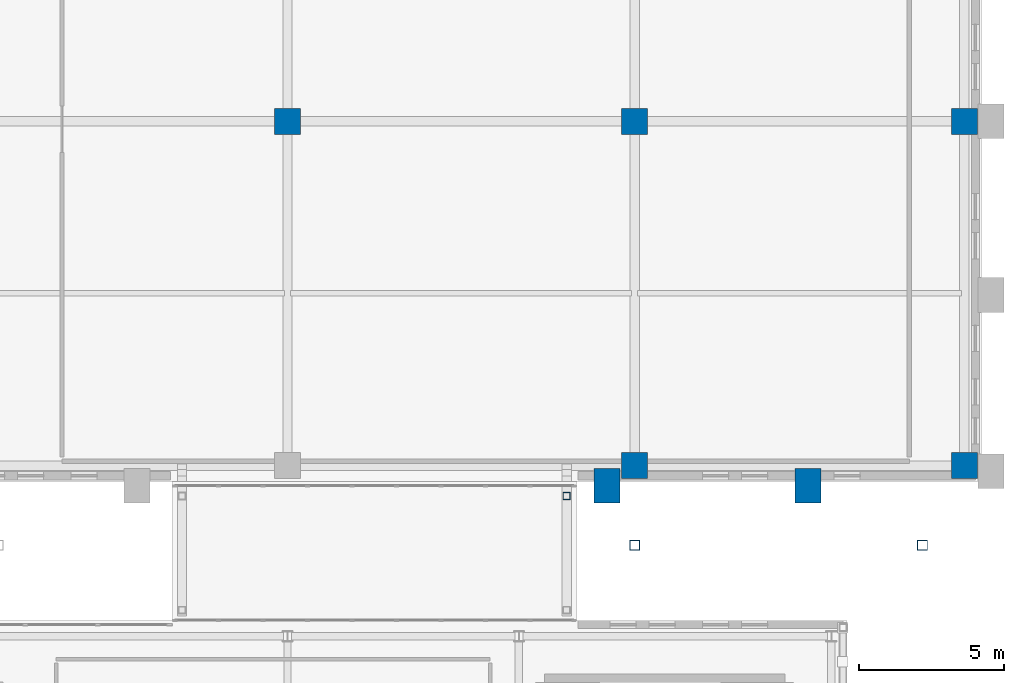
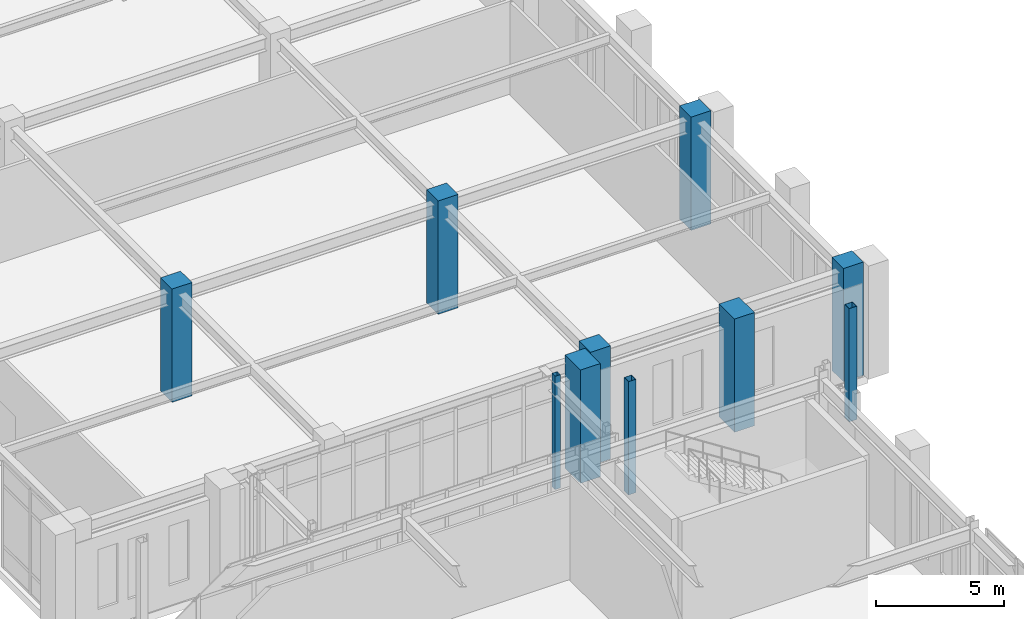
# One storey, part 14 of 159: 10 columns.
"""IFC4 building model written with IfcOpenShell, lengths in metres."""

from ifc_helpers import new_model, si_unit, derived_unit, direction, frame, origin, origin_2d, place, context, subcontext, project, spatial, rectangle, hollow_rectangle, extrude, material, material_profile, profile_set, type_object, element, save


model = new_model("IFC4")

# Units and contexts
model_context = context("Model", 3, precision=1e-05, world=origin(), true_north=direction((0.0, 1.0)))
body_context = subcontext(model_context, "Body", "Model", "MODEL_VIEW")
ifc_project = project(units=[si_unit("LENGTHUNIT", "METRE"), si_unit("AREAUNIT", "SQUARE_METRE"), si_unit("VOLUMEUNIT", "CUBIC_METRE"), si_unit("PLANEANGLEUNIT", "RADIAN"), si_unit("MASSUNIT", "GRAM", prefix="KILO"), derived_unit("THERMALTRANSMITTANCEUNIT", [(si_unit("MASSUNIT", "GRAM", prefix="KILO"), 1), (si_unit("TIMEUNIT", "SECOND"), -3), (si_unit("THERMODYNAMICTEMPERATUREUNIT", "KELVIN"), -1)])], contexts=[model_context])

# Site, building, storey
site_placement = place(None, origin())
site = spatial("IfcSite", under=ifc_project, at=site_placement, CompositionType="ELEMENT")
building_placement = place(site_placement, origin())
building = spatial("IfcBuilding", under=site, at=building_placement, Name="Valcora Ridge Arena", CompositionType="ELEMENT")
storey_placement = place(building_placement, frame((0.0, 0.0, 6.0)))
storey = spatial("IfcBuildingStorey", under=building, at=storey_placement, Name="L01", CompositionType="ELEMENT", Elevation=6.0)

# Columns
ifc_material_1 = material(Name="Steel ASTM A500 Grade C", Category="steel")
ifc_material_profile_1 = material_profile(ifc_material_1, hollow_rectangle(XDim=0.25, YDim=0.25, WallThickness=0.012451171875, at=origin_2d()), Name="HSS250X250X12")
ifc_profile_set_1 = profile_set([ifc_material_profile_1], Name="Steel ASTM A500 Grade C")
column_type_1 = type_object("IfcColumnType", Name="TY-COLUMN-C-BRG250", PredefinedType="COLUMN", material=ifc_profile_set_1)
column_placement = place(storey_placement, frame((177.64990234375, 82.64990234375, 0.0), z_axis=(0.0, 0.0, 1.0), x_axis=(1.0, 0.0, 0.0)))
element("IfcColumn", 1, at=column_placement, inside=storey, type_object=column_type_1, Name="C-BRG250 COL-BG-C-BRG250-0027", PredefinedType="COLUMN", context=body_context, shape_type="SweptSolid", body=[
    extrude(hollow_rectangle(XDim=0.25, YDim=0.25, WallThickness=0.012451171875, at=origin_2d()), origin(), (0.0, 0.0, 1.0), 5.39990234375),
])
ifc_material_2 = material(Name="Bush-hammered Andean travertine architectural concrete C45/55", Category="masonry")
ifc_material_profile_2 = material_profile(ifc_material_2, rectangle(XDim=0.89990234375, YDim=1.199951171875, at=origin_2d()), Name="RC 900x1200")
ifc_profile_set_2 = profile_set([ifc_material_profile_2], Name="Bush-hammered Andean travertine architectural concrete C45/55")
column_type_2 = type_object("IfcColumnType", Name="TY-COLUMN-C-BUTT-1200", PredefinedType="PILASTER", material=ifc_profile_set_2)
for number, where, z_axis, x_axis, name in (
    (2, (179.050048828125, 83.0, 0.0), (0.0, 0.0, 1.0), (1.0, 0.0, 0.0), "C-BUTT-1200 COL-C-BUTT-1200-0269"),
    (3, (186.0, 83.0, 0.0), (0.0, 0.0, 1.0), (1.0, 0.0, 0.0), "C-BUTT-1200 COL-C-BUTT-1200-0273"),
):
    element("IfcColumn", number, at=place(storey_placement, frame(where, z_axis=z_axis, x_axis=x_axis)), inside=storey, type_object=column_type_2, Name=name, PredefinedType="PILASTER", context=body_context, shape_type="SweptSolid", body=[
        extrude(rectangle(XDim=0.89990234375, YDim=1.199951171875, at=origin_2d()), origin(), (0.0, 0.0, 1.0), 5.39990234375),
    ])
ifc_material_profile_3 = material_profile(ifc_material_1, hollow_rectangle(XDim=0.35009765625, YDim=0.35009765625, WallThickness=0.01611328125, at=origin_2d()), Name="HSS350X350X16")
ifc_profile_set_3 = profile_set([ifc_material_profile_3], Name="Steel ASTM A500 Grade C")
column_type_3 = type_object("IfcColumnType", Name="TY-COLUMN-C-COL350", PredefinedType="COLUMN", material=ifc_profile_set_3)
for number, where, z_axis, x_axis, name in (
    (4, (189.949951171875, 80.949951171875, 0.0), (0.0, 0.0, 1.0), (1.0, 0.0, 0.0), "C-COL350 COL-C-COL350-0041"),
    (5, (180.0, 80.949951171875, 0.0), (0.0, 0.0, 1.0), (1.0, 0.0, 0.0), "C-COL350 COL-C-COL350-0062"),
):
    element("IfcColumn", number, at=place(storey_placement, frame(where, z_axis=z_axis, x_axis=x_axis)), inside=storey, type_object=column_type_3, Name=name, PredefinedType="COLUMN", context=body_context, shape_type="SweptSolid", body=[
        extrude(hollow_rectangle(XDim=0.35009765625, YDim=0.35009765625, WallThickness=0.01611328125, at=origin_2d()), origin(), (0.0, 0.0, 1.0), 5.39990234375),
    ])
ifc_material_3 = material(Name="Concrete C40/50", Category="concrete")
ifc_material_profile_4 = material_profile(ifc_material_3, rectangle(XDim=0.89990234375, YDim=0.89990234375, at=origin_2d()), Name="RC 900x900")
ifc_profile_set_4 = profile_set([ifc_material_profile_4], Name="Concrete C40/50")
column_type_4 = type_object("IfcColumnType", Name="TY-COLUMN-C-RC900B", PredefinedType="COLUMN", material=ifc_profile_set_4)
for number, where, z_axis, x_axis, name in (
    (6, (168.0, 95.60009765625, 0.0), (0.0, 0.0, 1.0), (1.0, 0.0, 0.0), "C-RC900B COL-C-RC900B-0147"),
    (7, (180.0, 83.699951171875, 0.0), (0.0, 0.0, 1.0), (1.0, 0.0, 0.0), "C-RC900B COL-C-RC900B-0150"),
    (8, (180.0, 95.60009765625, 0.0), (0.0, 0.0, 1.0), (1.0, 0.0, 0.0), "C-RC900B COL-C-RC900B-0153"),
    (9, (191.39990234375, 83.699951171875, 0.0), (0.0, 0.0, 1.0), (1.0, 0.0, 0.0), "C-RC900B COL-C-RC900B-0156"),
    (10, (191.39990234375, 95.60009765625, 0.0), (0.0, 0.0, 1.0), (1.0, 0.0, 0.0), "C-RC900B COL-C-RC900B-0159"),
):
    element("IfcColumn", number, at=place(storey_placement, frame(where, z_axis=z_axis, x_axis=x_axis)), inside=storey, type_object=column_type_4, Name=name, PredefinedType="COLUMN", context=body_context, shape_type="SweptSolid", body=[
        extrude(rectangle(XDim=0.89990234375, YDim=0.89990234375, at=origin_2d()), origin(), (0.0, 0.0, 1.0), 5.39990234375),
    ])

save(model, "model.ifc")
